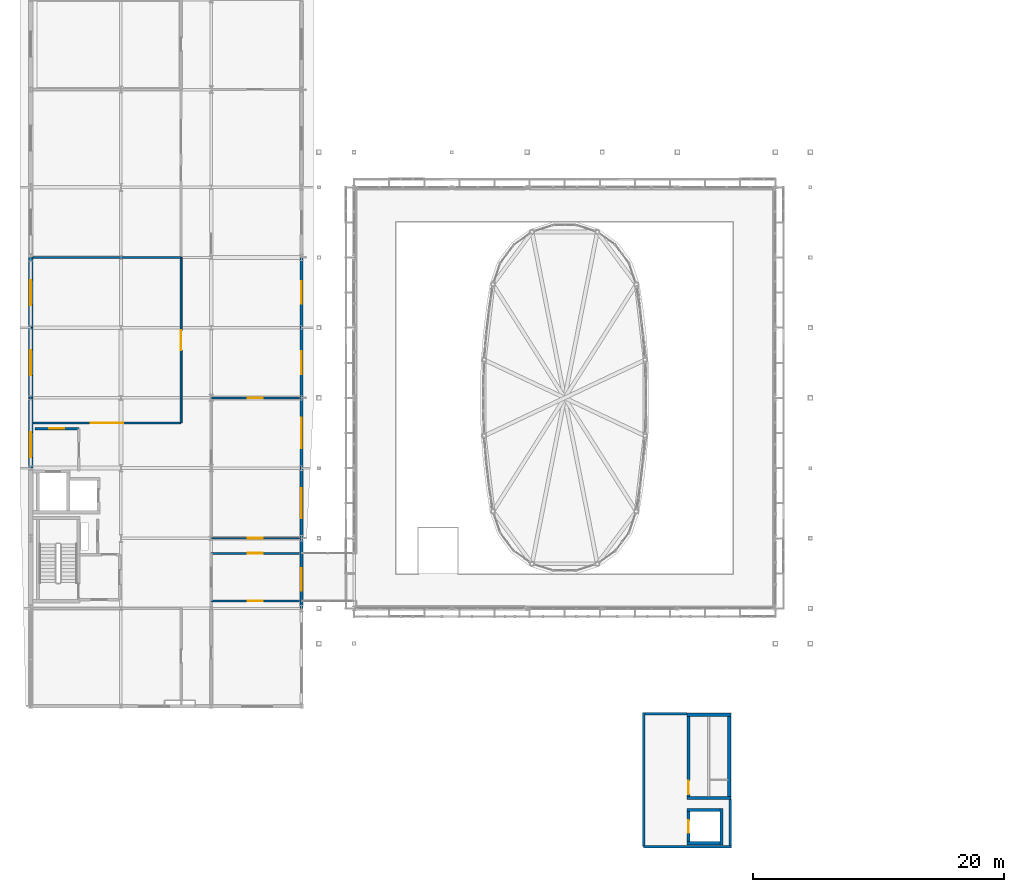
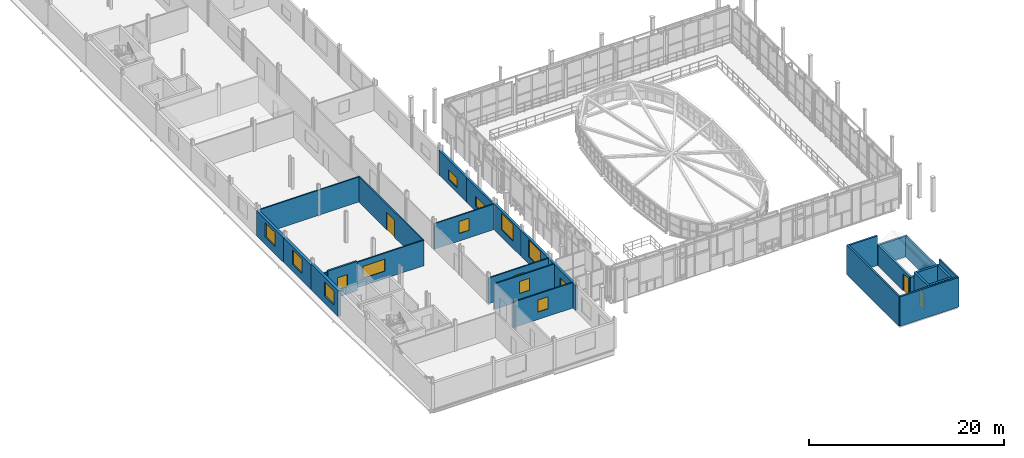
# One storey, part 62 of 78: 28 walls, 13 windows, 4 doors, 17 openings.
"""IFC4 building model written with IfcOpenShell, lengths in metres."""

from ifc_helpers import new_model, si_unit, direction, frame, frame_2d, origin, place, context, subcontext, project, spatial, rectangle, extrude, material, layer, layer_set, type_object, element, fill, save


model = new_model("IFC4")

# Units and contexts
model_context = context("Model", 3, precision=1e-05, world=origin(), true_north=direction((0.0, 1.0)))
body_context = subcontext(model_context, "Body", "Model", "MODEL_VIEW")
ifc_project = project(units=[si_unit("LENGTHUNIT", "METRE"), si_unit("AREAUNIT", "SQUARE_METRE"), si_unit("VOLUMEUNIT", "CUBIC_METRE"), si_unit("PLANEANGLEUNIT", "RADIAN"), si_unit("MASSUNIT", "GRAM", prefix="KILO")], contexts=[model_context])

# Site, building, storey
site_placement = place(None, origin())
site = spatial("IfcSite", under=ifc_project, at=site_placement, CompositionType="ELEMENT")
building_placement = place(site_placement, origin())
building = spatial("IfcBuilding", under=site, at=building_placement, Name="Vinh Khe Railworks Police Headquarters", CompositionType="ELEMENT")
storey_placement = place(building_placement, frame((0.0, 0.0, 13.199951171875)))
storey = spatial("IfcBuildingStorey", under=building, at=storey_placement, Name="L03", CompositionType="ELEMENT", Elevation=13.199951171875)

# Walls
ifc_material_1 = material(Name="Concrete C40/50 (B40)", Category="concrete")
ifc_layer_1 = layer(ifc_material_1, 0.25)
ifc_layer_set_1 = layer_set([ifc_layer_1], Name="Concrete C40/50 (B40)")
wall_type_1 = type_object("IfcWallType", Name="CW-RC-250", PredefinedType="SHEAR", material=ifc_layer_set_1)
wall_1_placement = place(storey_placement, frame((55.72509765625, 6.35009765625, 0.0), z_axis=(0.0, 0.0, 1.0), x_axis=(0.0, 1.0, 0.0)))
element("IfcWall", 1, at=wall_1_placement, inside=storey, type_object=wall_type_1, Name="Core C5 Enclosure Wall L03 PL-E", PredefinedType="SHEAR", context=body_context, shape_type="SweptSolid", body=[
    extrude(rectangle(XDim=2.89990234375, YDim=0.25, at=frame_2d((1.449951171875, 0.0))), origin(), (0.0, 0.0, 1.0), 3.699951171875),
])
for number, where, z_axis, x_axis, name in (
    (2, (52.949951171875, 6.47509765625, 0.0), (0.0, 0.0, 1.0), (1.0, 0.0, 0.0), "Core C5 Enclosure Wall L03 PL-S"),
    (3, (52.949951171875, 9.125, 0.0), (0.0, 0.0, 1.0), (1.0, 0.0, 0.0), "Core C5 Enclosure Wall L03 PL-N"),
):
    element("IfcWall", number, at=place(storey_placement, frame(where, z_axis=z_axis, x_axis=x_axis)), inside=storey, type_object=wall_type_1, Name=name, PredefinedType="SHEAR", context=body_context, shape_type="SweptSolid", body=[
        extrude(rectangle(XDim=2.900146484375, YDim=0.25, at=frame_2d((1.4501953125, 0.0))), origin(), (0.0, 0.0, 1.0), 3.699951171875),
    ])

# Wall, opening, door
wall_2_placement = place(storey_placement, frame((53.074951171875, 6.35009765625, 0.0), z_axis=(0.0, 0.0, 1.0), x_axis=(0.0, 1.0, 0.0)))
wall_2 = element("IfcWall", 4, at=wall_2_placement, inside=storey, type_object=wall_type_1, Name="Core C5 Enclosure Wall L03 PL-W", PredefinedType="SHEAR", context=body_context, shape_type="SweptSolid", body=[
    extrude(rectangle(XDim=2.89990234375, YDim=0.25, at=frame_2d((1.449951171875, 0.0))), origin(), (0.0, 0.0, 1.0), 3.699951171875),
])
opening_1_placement = place(wall_2_placement, frame((0.949951171875, 0.0, 0.0)))
opening_1 = element("IfcOpeningElement", 5, at=opening_1_placement, cuts=wall_2, Name="Opening LD-02", PredefinedType="OPENING", context=body_context, shape_type="SweptSolid", body=[
    extrude(rectangle(XDim=1.0, YDim=2.14990234375, at=frame_2d((0.5, 1.074951171875))), frame((0.0, 0.139892578125, 0.0), z_axis=(0.0, -1.0, 0.0), x_axis=(1.0, 0.0, 0.0)), (0.0, 0.0, 1.0), 0.27978515625),
])
ifc_material_2 = material(Name="Painted galvanised steel", Category="steel")
door_type_1 = type_object("IfcDoorType", Name="LD-PAX-1000", OperationType="SLIDING_TO_RIGHT", PredefinedType="DOOR", material=ifc_material_2)
door_1_placement = place(opening_1_placement, origin())
door_1 = element("IfcDoor", 6, at=door_1_placement, inside=storey, type_object=door_type_1, Name="Lift Landing Door PL-04 L03", OperationType="SLIDING_TO_LEFT", OverallHeight=2.14990234375, OverallWidth=1.0, PredefinedType="DOOR", context=body_context, shape_type="SweptSolid", body=[
    extrude(rectangle(XDim=1.0, YDim=2.14990234375, at=frame_2d((0.5, 1.074951171875))), frame((0.0, 0.02490234375, 0.0), z_axis=(0.0, -1.0, 0.0), x_axis=(1.0, 0.0, 0.0)), (0.0, 0.0, 1.0), 0.050048828125),
])
fill(opening_1, door_1)

# Walls
ifc_layer_2 = layer(ifc_material_1, 0.25)
ifc_layer_set_2 = layer_set([ifc_layer_2], Name="Concrete C40/50 (B40)")
wall_type_2 = type_object("IfcWallType", Name="Core Shear Wall 250", PredefinedType="SHEAR", material=ifc_layer_set_2)
for number, where, z_axis, x_axis, name in (
    (7, (52.949951171875, 10.074951171875, 0.0), (0.0, 0.0, 1.0), (1.0, 0.0, 0.0), "Core C5 STAIR-S Shear Wall (L03)"),
    (8, (52.949951171875, 16.72509765625, 0.0), (0.0, 0.0, 1.0), (1.0, 0.0, 0.0), "Core C5 STAIR-N Shear Wall (L03)"),
):
    element("IfcWall", number, at=place(storey_placement, frame(where, z_axis=z_axis, x_axis=x_axis)), inside=storey, type_object=wall_type_2, Name=name, PredefinedType="SHEAR", context=body_context, shape_type="SweptSolid", body=[
        extrude(rectangle(XDim=3.5, YDim=0.25, at=frame_2d((1.75, 0.0))), origin(), (0.0, 0.0, 1.0), 2.550048828125),
    ])

# Wall, opening, door
wall_3_placement = place(storey_placement, frame((53.074951171875, 10.199951171875, 0.0), z_axis=(0.0, 0.0, 1.0), x_axis=(0.0, 1.0, 0.0)))
wall_3 = element("IfcWall", 9, at=wall_3_placement, inside=storey, type_object=wall_type_2, Name="Core C5 STAIR-W Shear Wall (L03)", PredefinedType="SHEAR", context=body_context, shape_type="SweptSolid", body=[
    extrude(rectangle(XDim=6.400146484375, YDim=0.25, at=frame_2d((3.2001953125, 0.0))), origin(), (0.0, 0.0, 1.0), 2.550048828125),
])
opening_2_placement = place(wall_3_placement, frame((0.169921875, 0.0, 0.0)))
opening_2 = element("IfcOpeningElement", 10, at=opening_2_placement, cuts=wall_3, Name="Opening FD-01", PredefinedType="OPENING", context=body_context, shape_type="SweptSolid", body=[
    extrude(rectangle(XDim=1.10009765625, YDim=2.14990234375, at=frame_2d((0.550048828125, 1.074951171875))), frame((0.0, 0.139892578125, 0.0), z_axis=(0.0, -1.0, 0.0), x_axis=(1.0, 0.0, 0.0)), (0.0, 0.0, 1.0), 0.27978515625),
])
door_type_2 = type_object("IfcDoorType", Name="FD-1100x2150", OperationType="NOTDEFINED", PredefinedType="DOOR", material=ifc_material_2)
door_2_placement = place(opening_2_placement, origin())
door_2 = element("IfcDoor", 11, at=door_2_placement, inside=storey, type_object=door_type_2, Name="Escape Stair ST-05 Fire Door L03", OperationType="SINGLE_SWING_LEFT", OverallHeight=2.14990234375, OverallWidth=1.10009765625, PredefinedType="DOOR", context=body_context, shape_type="SweptSolid", body=[
    extrude(rectangle(XDim=1.10009765625, YDim=2.14990234375, at=frame_2d((0.550048828125, 1.074951171875))), frame((0.0, 0.02490234375, 0.0), z_axis=(0.0, -1.0, 0.0), x_axis=(1.0, 0.0, 0.0)), (0.0, 0.0, 1.0), 0.050048828125),
])
fill(opening_2, door_2)

# Wall
wall_4_placement = place(storey_placement, frame((56.324951171875, 10.199951171875, 0.0), z_axis=(0.0, 0.0, 1.0), x_axis=(0.0, 1.0, 0.0)))
element("IfcWall", 12, at=wall_4_placement, inside=storey, type_object=wall_type_2, Name="Core C5 STAIR-E Shear Wall (L03)", PredefinedType="SHEAR", context=body_context, shape_type="SweptSolid", body=[
    extrude(rectangle(XDim=6.400146484375, YDim=0.25, at=frame_2d((3.2001953125, 0.0))), origin(), (0.0, 0.0, 1.0), 2.550048828125),
])

# Wall, opening, door
ifc_material_3 = material(Name="Clay brickwork", Category="masonry")
ifc_layer_3 = layer(ifc_material_3, 0.260009765625)
ifc_layer_set_3 = layer_set([ifc_layer_3], Name="Clay brickwork")
wall_type_3 = type_object("IfcWallType", Name="EW-BRK-260", PredefinedType="SOLIDWALL", material=ifc_layer_set_3)
wall_5_placement = place(storey_placement, frame((22.199951171875, 25.199951171875, 0.0), z_axis=(0.0, 0.0, 1.0), x_axis=(0.0, 1.0, 0.0)))
wall_5 = element("IfcWall", 13, at=wall_5_placement, inside=storey, type_object=wall_type_3, Name="Exterior Brick Wall EW-L03-V5E-02", PredefinedType="SOLIDWALL", context=body_context, shape_type="SweptSolid", body=[
    extrude(rectangle(XDim=5.60009765625, YDim=0.260009765625, at=frame_2d((2.800048828125, 0.0))), origin(), (0.0, 0.0, 1.0), 3.14501953125),
])
opening_3_placement = place(wall_5_placement, frame((1.39990234375, 0.0, 0.0)))
opening_3 = element("IfcOpeningElement", 14, at=opening_3_placement, cuts=wall_5, Name="Opening ED-03", PredefinedType="OPENING", context=body_context, shape_type="SweptSolid", body=[
    extrude(rectangle(XDim=1.800048828125, YDim=2.199951171875, at=frame_2d((0.89990234375, 1.10009765625))), frame((0.0, 0.14501953125, 0.0), z_axis=(0.0, -1.0, 0.0), x_axis=(1.0, 0.0, 0.0)), (0.0, 0.0, 1.0), 0.289794921875),
])
ifc_material_4 = material(Name="Dark anodised aluminium and solar-control glass", Category="aluminium")
door_type_3 = type_object("IfcDoorType", Name="ED-TER-1800", OperationType="DOUBLE_DOOR_SINGLE_SWING", PredefinedType="DOOR", material=ifc_material_4)
door_3_placement = place(opening_3_placement, frame((1.800048828125, 0.0, 0.0), z_axis=(0.0, 0.0, 1.0), x_axis=(-1.0, 0.0, 0.0)))
door_3 = element("IfcDoor", 15, at=door_3_placement, inside=storey, type_object=door_type_3, Name="Atrium Skyway Link Fire Door L03", OperationType="DOUBLE_DOOR_SINGLE_SWING", OverallHeight=2.199951171875, OverallWidth=1.800048828125, PredefinedType="DOOR", context=body_context, shape_type="SweptSolid", body=[
    extrude(rectangle(XDim=1.800048828125, YDim=2.199951171875, at=frame_2d((0.89990234375, 1.10009765625))), frame((0.0, 0.02490234375, 0.0), z_axis=(0.0, -1.0, 0.0), x_axis=(1.0, 0.0, 0.0)), (0.0, 0.0, 1.0), 0.050048828125),
])
fill(opening_3, door_3)

# Wall, opening, window
wall_6_placement = place(storey_placement, frame((22.199951171875, 30.800048828125, 0.0), z_axis=(0.0, 0.0, 1.0), x_axis=(0.0, 1.0, 0.0)))
wall_6 = element("IfcWall", 16, at=wall_6_placement, inside=storey, type_object=wall_type_3, Name="Exterior Brick Wall EW-L03-V5E-03", PredefinedType="SOLIDWALL", context=body_context, shape_type="SweptSolid", body=[
    extrude(rectangle(XDim=5.599853515625, YDim=0.260009765625, at=frame_2d((2.7998046875, 0.0))), origin(), (0.0, 0.0, 1.0), 3.195068359375),
])
opening_4_placement = place(wall_6_placement, frame((1.60009765625, 0.0, 0.89990234375)))
opening_4 = element("IfcOpeningElement", 17, at=opening_4_placement, cuts=wall_6, Name="Opening WN-02", PredefinedType="OPENING", context=body_context, shape_type="SweptSolid", body=[
    extrude(rectangle(XDim=2.39990234375, YDim=2.10009765625, at=frame_2d((1.199951171875, 1.050048828125))), frame((0.0, 0.14501953125, 0.0), z_axis=(0.0, -1.0, 0.0), x_axis=(1.0, 0.0, 0.0)), (0.0, 0.0, 1.0), 0.289794921875),
])
ifc_material_5 = material(Name="Double-glazed solar-control glass in dark steel frame", Category="steel")
window_type_1 = type_object("IfcWindowType", Name="WIN-WN-02", PartitioningType="DOUBLE_PANEL_VERTICAL", PredefinedType="WINDOW", material=ifc_material_5)
window_1_placement = place(opening_4_placement, origin())
window_1 = element("IfcWindow", 18, at=window_1_placement, inside=storey, type_object=window_type_1, Name="Casement Window WN-02", OverallHeight=2.10009765625, OverallWidth=2.39990234375, PartitioningType="SINGLE_PANEL", PredefinedType="WINDOW", context=body_context, shape_type="SweptSolid", body=[
    extrude(rectangle(XDim=2.39990234375, YDim=2.10009765625, at=frame_2d((1.199951171875, 1.050048828125))), frame((0.0, 0.030029296875, 0.0), z_axis=(0.0, -1.0, 0.0), x_axis=(1.0, 0.0, 0.0)), (0.0, 0.0, 1.0), 0.06005859375),
])
fill(opening_4, window_1)

wall_7_placement = place(storey_placement, frame((22.199951171875, 36.39990234375, 0.0), z_axis=(0.0, 0.0, 1.0), x_axis=(0.0, 1.0, 0.0)))
wall_7 = element("IfcWall", 19, at=wall_7_placement, inside=storey, type_object=wall_type_3, Name="Exterior Brick Wall EW-L03-V5E-04", PredefinedType="SOLIDWALL", context=body_context, shape_type="SweptSolid", body=[
    extrude(rectangle(XDim=5.60009765625, YDim=0.260009765625, at=frame_2d((2.800048828125, 0.0))), origin(), (0.0, 0.0, 1.0), 3.2451171875),
])
opening_5_placement = place(wall_7_placement, frame((1.60009765625, 0.0, 0.89990234375)))
opening_5 = element("IfcOpeningElement", 20, at=opening_5_placement, cuts=wall_7, Name="Opening WN-02", PredefinedType="OPENING", context=body_context, shape_type="SweptSolid", body=[
    extrude(rectangle(XDim=2.39990234375, YDim=2.10009765625, at=frame_2d((1.199951171875, 1.050048828125))), frame((0.0, 0.14501953125, 0.0), z_axis=(0.0, -1.0, 0.0), x_axis=(1.0, 0.0, 0.0)), (0.0, 0.0, 1.0), 0.289794921875),
])
window_2_placement = place(opening_5_placement, origin())
window_2 = element("IfcWindow", 21, at=window_2_placement, inside=storey, type_object=window_type_1, Name="Casement Window WN-02", OverallHeight=2.10009765625, OverallWidth=2.39990234375, PartitioningType="SINGLE_PANEL", PredefinedType="WINDOW", context=body_context, shape_type="SweptSolid", body=[
    extrude(rectangle(XDim=2.39990234375, YDim=2.10009765625, at=frame_2d((1.199951171875, 1.050048828125))), frame((0.0, 0.030029296875, 0.0), z_axis=(0.0, -1.0, 0.0), x_axis=(1.0, 0.0, 0.0)), (0.0, 0.0, 1.0), 0.06005859375),
])
fill(opening_5, window_2)

wall_8_placement = place(storey_placement, frame((22.199951171875, 42.0, 0.0), z_axis=(0.0, 0.0, 1.0), x_axis=(0.0, 1.0, 0.0)))
wall_8 = element("IfcWall", 22, at=wall_8_placement, inside=storey, type_object=wall_type_3, Name="Exterior Brick Wall EW-L03-V5E-05", PredefinedType="SOLIDWALL", context=body_context, shape_type="SweptSolid", body=[
    extrude(rectangle(XDim=5.60009765625, YDim=0.260009765625, at=frame_2d((2.800048828125, 0.0))), origin(), (0.0, 0.0, 1.0), 3.094970703125),
])
opening_6_placement = place(wall_8_placement, frame((1.89990234375, 0.0, 0.64990234375)))
opening_6 = element("IfcOpeningElement", 23, at=opening_6_placement, cuts=wall_8, Name="Opening WN-08", PredefinedType="OPENING", context=body_context, shape_type="SweptSolid", body=[
    extrude(rectangle(XDim=1.800048828125, YDim=1.199951171875, at=frame_2d((0.89990234375, 0.60009765625))), frame((0.0, 0.14501953125, 0.0), z_axis=(0.0, -1.0, 0.0), x_axis=(1.0, 0.0, 0.0)), (0.0, 0.0, 1.0), 0.289794921875),
])
window_type_2 = type_object("IfcWindowType", Name="WIN-WN-08", PartitioningType="SINGLE_PANEL", PredefinedType="WINDOW", material=ifc_material_5)
window_3_placement = place(opening_6_placement, origin())
window_3 = element("IfcWindow", 24, at=window_3_placement, inside=storey, type_object=window_type_2, Name="Casement Window WN-08", OverallHeight=1.199951171875, OverallWidth=1.800048828125, PartitioningType="SINGLE_PANEL", PredefinedType="WINDOW", context=body_context, shape_type="SweptSolid", body=[
    extrude(rectangle(XDim=1.800048828125, YDim=1.199951171875, at=frame_2d((0.89990234375, 0.60009765625))), frame((0.0, 0.030029296875, 0.0), z_axis=(0.0, -1.0, 0.0), x_axis=(1.0, 0.0, 0.0)), (0.0, 0.0, 1.0), 0.06005859375),
])
fill(opening_6, window_3)

wall_9_placement = place(storey_placement, frame((22.199951171875, 47.60009765625, 0.0), z_axis=(0.0, 0.0, 1.0), x_axis=(0.0, 1.0, 0.0)))
wall_9 = element("IfcWall", 25, at=wall_9_placement, inside=storey, type_object=wall_type_3, Name="Exterior Brick Wall EW-L03-V5E-06", PredefinedType="SOLIDWALL", context=body_context, shape_type="SweptSolid", body=[
    extrude(rectangle(XDim=5.599853515625, YDim=0.260009765625, at=frame_2d((2.7998046875, 0.0))), origin(), (0.0, 0.0, 1.0), 3.094970703125),
])
opening_7_placement = place(wall_9_placement, frame((1.89990234375, 0.0, 0.64990234375)))
opening_7 = element("IfcOpeningElement", 26, at=opening_7_placement, cuts=wall_9, Name="Opening WN-08", PredefinedType="OPENING", context=body_context, shape_type="SweptSolid", body=[
    extrude(rectangle(XDim=1.800048828125, YDim=1.199951171875, at=frame_2d((0.89990234375, 0.60009765625))), frame((0.0, 0.14501953125, 0.0), z_axis=(0.0, -1.0, 0.0), x_axis=(1.0, 0.0, 0.0)), (0.0, 0.0, 1.0), 0.289794921875),
])
window_4_placement = place(opening_7_placement, origin())
window_4 = element("IfcWindow", 27, at=window_4_placement, inside=storey, type_object=window_type_2, Name="Casement Window WN-08", OverallHeight=1.199951171875, OverallWidth=1.800048828125, PartitioningType="SINGLE_PANEL", PredefinedType="WINDOW", context=body_context, shape_type="SweptSolid", body=[
    extrude(rectangle(XDim=1.800048828125, YDim=1.199951171875, at=frame_2d((0.89990234375, 0.60009765625))), frame((0.0, 0.030029296875, 0.0), z_axis=(0.0, -1.0, 0.0), x_axis=(1.0, 0.0, 0.0)), (0.0, 0.0, 1.0), 0.06005859375),
])
fill(opening_7, window_4)

ifc_layer_4 = layer(ifc_material_3, 0.340087890625)
ifc_layer_set_4 = layer_set([ifc_layer_4], Name="Clay brickwork")
wall_type_4 = type_object("IfcWallType", Name="EW-BRK-340", PredefinedType="SOLIDWALL", material=ifc_layer_set_4)
wall_10_placement = place(storey_placement, frame((0.60009765625, 36.39990234375, 0.0), z_axis=(0.0, 0.0, 1.0), x_axis=(0.0, 1.0, 0.0)))
wall_10 = element("IfcWall", 28, at=wall_10_placement, inside=storey, type_object=wall_type_4, Name="Exterior Brick Wall EW-L03-V5W-04", PredefinedType="SOLIDWALL", context=body_context, shape_type="SweptSolid", body=[
    extrude(rectangle(XDim=5.60009765625, YDim=0.340087890625, at=frame_2d((2.800048828125, 0.0))), origin(), (0.0, 0.0, 1.0), 3.2451171875),
])
opening_8_placement = place(wall_10_placement, frame((0.85009765625, 0.0, 0.89990234375)))
opening_8 = element("IfcOpeningElement", 29, at=opening_8_placement, cuts=wall_10, Name="Opening WN-04", PredefinedType="OPENING", context=body_context, shape_type="SweptSolid", body=[
    extrude(rectangle(XDim=2.0, YDim=1.800048828125, at=frame_2d((1.0, 0.89990234375))), frame((0.0, 0.18505859375, 0.0), z_axis=(0.0, -1.0, 0.0), x_axis=(1.0, 0.0, 0.0)), (0.0, 0.0, 1.0), 0.369873046875),
])
window_type_3 = type_object("IfcWindowType", Name="WIN-WN-04", PartitioningType="DOUBLE_PANEL_VERTICAL", PredefinedType="WINDOW", material=ifc_material_5)
window_5_placement = place(opening_8_placement, origin())
window_5 = element("IfcWindow", 30, at=window_5_placement, inside=storey, type_object=window_type_3, Name="Casement Window WN-04", OverallHeight=1.800048828125, OverallWidth=2.0, PartitioningType="SINGLE_PANEL", PredefinedType="WINDOW", context=body_context, shape_type="SweptSolid", body=[
    extrude(rectangle(XDim=2.0, YDim=1.800048828125, at=frame_2d((1.0, 0.89990234375))), frame((0.0, 0.030029296875, 0.0), z_axis=(0.0, -1.0, 0.0), x_axis=(1.0, 0.0, 0.0)), (0.0, 0.0, 1.0), 0.06005859375),
])
fill(opening_8, window_5)

wall_11_placement = place(storey_placement, frame((0.60009765625, 42.0, 0.0), z_axis=(0.0, 0.0, 1.0), x_axis=(0.0, 1.0, 0.0)))
wall_11 = element("IfcWall", 31, at=wall_11_placement, inside=storey, type_object=wall_type_4, Name="Exterior Brick Wall EW-L03-V5W-05", PredefinedType="SOLIDWALL", context=body_context, shape_type="SweptSolid", body=[
    extrude(rectangle(XDim=5.60009765625, YDim=0.340087890625, at=frame_2d((2.800048828125, 0.0))), origin(), (0.0, 0.0, 1.0), 3.094970703125),
])
opening_9_placement = place(wall_11_placement, frame((1.800048828125, 0.0, 0.89990234375)))
opening_9 = element("IfcOpeningElement", 32, at=opening_9_placement, cuts=wall_11, Name="Opening WN-04", PredefinedType="OPENING", context=body_context, shape_type="SweptSolid", body=[
    extrude(rectangle(XDim=2.0, YDim=1.800048828125, at=frame_2d((1.0, 0.89990234375))), frame((0.0, 0.18505859375, 0.0), z_axis=(0.0, -1.0, 0.0), x_axis=(1.0, 0.0, 0.0)), (0.0, 0.0, 1.0), 0.369873046875),
])
window_6_placement = place(opening_9_placement, origin())
window_6 = element("IfcWindow", 33, at=window_6_placement, inside=storey, type_object=window_type_3, Name="Casement Window WN-04", OverallHeight=1.800048828125, OverallWidth=2.0, PartitioningType="SINGLE_PANEL", PredefinedType="WINDOW", context=body_context, shape_type="SweptSolid", body=[
    extrude(rectangle(XDim=2.0, YDim=1.800048828125, at=frame_2d((1.0, 0.89990234375))), frame((0.0, 0.030029296875, 0.0), z_axis=(0.0, -1.0, 0.0), x_axis=(1.0, 0.0, 0.0)), (0.0, 0.0, 1.0), 0.06005859375),
])
fill(opening_9, window_6)

wall_12_placement = place(storey_placement, frame((0.60009765625, 47.60009765625, 0.0), z_axis=(0.0, 0.0, 1.0), x_axis=(0.0, 1.0, 0.0)))
wall_12 = element("IfcWall", 34, at=wall_12_placement, inside=storey, type_object=wall_type_4, Name="Exterior Brick Wall EW-L03-V5W-06", PredefinedType="SOLIDWALL", context=body_context, shape_type="SweptSolid", body=[
    extrude(rectangle(XDim=5.599853515625, YDim=0.340087890625, at=frame_2d((2.7998046875, 0.0))), origin(), (0.0, 0.0, 1.0), 3.094970703125),
])
opening_10_placement = place(wall_12_placement, frame((1.800048828125, 0.0, 0.89990234375)))
opening_10 = element("IfcOpeningElement", 35, at=opening_10_placement, cuts=wall_12, Name="Opening WN-04", PredefinedType="OPENING", context=body_context, shape_type="SweptSolid", body=[
    extrude(rectangle(XDim=2.0, YDim=1.800048828125, at=frame_2d((1.0, 0.89990234375))), frame((0.0, 0.18505859375, 0.0), z_axis=(0.0, -1.0, 0.0), x_axis=(1.0, 0.0, 0.0)), (0.0, 0.0, 1.0), 0.369873046875),
])
window_7_placement = place(opening_10_placement, origin())
window_7 = element("IfcWindow", 36, at=window_7_placement, inside=storey, type_object=window_type_3, Name="Casement Window WN-04", OverallHeight=1.800048828125, OverallWidth=2.0, PartitioningType="SINGLE_PANEL", PredefinedType="WINDOW", context=body_context, shape_type="SweptSolid", body=[
    extrude(rectangle(XDim=2.0, YDim=1.800048828125, at=frame_2d((1.0, 0.89990234375))), frame((0.0, 0.030029296875, 0.0), z_axis=(0.0, -1.0, 0.0), x_axis=(1.0, 0.0, 0.0)), (0.0, 0.0, 1.0), 0.06005859375),
])
fill(opening_10, window_7)

# Walls
ifc_material_6 = material(Name="Autoclaved aerated concrete blockwork", Category="masonry")
ifc_layer_5 = layer(ifc_material_6, 0.199951171875)
ifc_layer_set_5 = layer_set([ifc_layer_5], Name="Autoclaved aerated concrete blockwork")
wall_type_5 = type_object("IfcWallType", Name="IW-BLK-200", PredefinedType="PARTITIONING", material=ifc_layer_set_5)
wall_13_placement = place(storey_placement, frame((49.60009765625, 16.800048828125, 0.0), z_axis=(0.0, 0.0, 1.0), x_axis=(1.0, 0.0, 0.0)))
element("IfcWall", 37, at=wall_13_placement, inside=storey, type_object=wall_type_5, Name="Core C5 Headhouse Enclosure Wall L03-NW", PredefinedType="PARTITIONING", context=body_context, shape_type="SweptSolid", body=[
    extrude(rectangle(XDim=3.349853515625, YDim=0.199951171875, at=frame_2d((1.6748046875, 0.0))), origin(), (0.0, 0.0, 1.0), 3.699951171875),
])
wall_14_placement = place(storey_placement, frame((56.39990234375, 6.300048828125, 0.0), z_axis=(0.0, 0.0, 1.0), x_axis=(0.0, 1.0, 0.0)))
element("IfcWall", 38, at=wall_14_placement, inside=storey, type_object=wall_type_5, Name="Core C5 Headhouse Enclosure Wall L03-SE", PredefinedType="PARTITIONING", context=body_context, shape_type="SweptSolid", body=[
    extrude(rectangle(XDim=3.64990234375, YDim=0.199951171875, at=frame_2d((1.824951171875, 0.0))), origin(), (0.0, 0.0, 1.0), 3.699951171875),
])
wall_15_placement = place(storey_placement, frame((49.5, 6.199951171875, 0.0), z_axis=(0.0, 0.0, 1.0), x_axis=(1.0, 0.0, 0.0)))
element("IfcWall", 39, at=wall_15_placement, inside=storey, type_object=wall_type_5, Name="Core C5 Headhouse Enclosure Wall L03-1", PredefinedType="PARTITIONING", context=body_context, shape_type="SweptSolid", body=[
    extrude(rectangle(XDim=7.0, YDim=0.199951171875, at=frame_2d((3.5, 0.0))), origin(), (0.0, 0.0, 1.0), 3.699951171875),
])
wall_16_placement = place(storey_placement, frame((49.5, 16.89990234375, 0.0), z_axis=(0.0, 0.0, 1.0), x_axis=(0.0, -1.0, 0.0)))
element("IfcWall", 40, at=wall_16_placement, inside=storey, type_object=wall_type_5, Name="Core C5 Headhouse Enclosure Wall L03-4", PredefinedType="PARTITIONING", context=body_context, shape_type="SweptSolid", body=[
    extrude(rectangle(XDim=10.699951171875, YDim=0.199951171875, at=frame_2d((5.35009765625, 0.0))), origin(), (0.0, 0.0, 1.0), 3.699951171875),
])

# Wall, opening, window
wall_17_placement = place(storey_placement, frame((0.949951171875, 39.550048828125, 0.0), z_axis=(0.0, 0.0, 1.0), x_axis=(1.0, 0.0, 0.0)))
wall_17 = element("IfcWall", 41, at=wall_17_placement, inside=storey, type_object=wall_type_5, Name="Interior Partition W-FFL-C1-N-L03", PredefinedType="PARTITIONING", context=body_context, shape_type="SweptSolid", body=[
    extrude(rectangle(XDim=3.5, YDim=0.199951171875, at=frame_2d((1.75, 0.0))), origin(), (0.0, 0.0, 1.0), 3.695068359375),
])
opening_11_placement = place(wall_17_placement, frame((1.14990234375, 0.0, 0.949951171875)))
opening_11 = element("IfcOpeningElement", 42, at=opening_11_placement, cuts=wall_17, Name="Opening WN-10", PredefinedType="OPENING", context=body_context, shape_type="SweptSolid", body=[
    extrude(rectangle(XDim=1.199951171875, YDim=1.5, at=frame_2d((0.60009765625, 0.75))), frame((0.0, 0.11474609375, 0.0), z_axis=(0.0, -1.0, 0.0), x_axis=(1.0, 0.0, 0.0)), (0.0, 0.0, 1.0), 0.229736328125),
])
window_type_4 = type_object("IfcWindowType", Name="WIN-WN-10", PartitioningType="SINGLE_PANEL", PredefinedType="WINDOW", material=ifc_material_5)
window_8_placement = place(opening_11_placement, origin())
window_8 = element("IfcWindow", 43, at=window_8_placement, inside=storey, type_object=window_type_4, Name="Interior Acoustic Vision Window WN-10", OverallHeight=1.5, OverallWidth=1.199951171875, PartitioningType="SINGLE_PANEL", PredefinedType="WINDOW", context=body_context, shape_type="SweptSolid", body=[
    extrude(rectangle(XDim=1.199951171875, YDim=1.5, at=frame_2d((0.60009765625, 0.75))), frame((0.0, 0.030029296875, 0.0), z_axis=(0.0, -1.0, 0.0), x_axis=(1.0, 0.0, 0.0)), (0.0, 0.0, 1.0), 0.06005859375),
])
fill(opening_11, window_8)

ifc_material_7 = material(Name="Gypsum plasterboard on steel stud", Category="steel")
ifc_layer_6 = layer(ifc_material_7, 0.1201171875)
ifc_layer_set_6 = layer_set([ifc_layer_6], Name="Gypsum plasterboard on steel stud")
wall_type_6 = type_object("IfcWallType", Name="IW-PART-120", PredefinedType="PARTITIONING", material=ifc_layer_set_6)
wall_18_placement = place(storey_placement, frame((0.780029296875, 40.0, 0.0), z_axis=(0.0, 0.0, 1.0), x_axis=(1.0, 0.0, 0.0)))
wall_18 = element("IfcWall", 44, at=wall_18_placement, inside=storey, type_object=wall_type_6, Name="Interior Partition W-L03-V5-INV3B-DIV", PredefinedType="PARTITIONING", context=body_context, shape_type="SweptSolid", body=[
    extrude(rectangle(XDim=11.820068359375, YDim=0.14990234375, at=frame_2d((5.91015625, 0.0))), origin(), (0.0, 0.0, 1.0), 3.195068359375),
])
opening_12_placement = place(wall_18_placement, frame((4.610107421875, 0.0, 0.949951171875)))
opening_12 = element("IfcOpeningElement", 45, at=opening_12_placement, cuts=wall_18, Name="Opening WN-07", PredefinedType="OPENING", context=body_context, shape_type="SweptSolid", body=[
    extrude(rectangle(XDim=2.60009765625, YDim=1.5, at=frame_2d((1.300048828125, 0.75))), frame((0.0, 0.08984375, 0.0), z_axis=(0.0, -1.0, 0.0), x_axis=(1.0, 0.0, 0.0)), (0.0, 0.0, 1.0), 0.1796875),
])
window_type_5 = type_object("IfcWindowType", Name="WIN-WN-07", PartitioningType="DOUBLE_PANEL_HORIZONTAL", PredefinedType="WINDOW", material=ifc_material_5)
window_9_placement = place(opening_12_placement, origin())
window_9 = element("IfcWindow", 46, at=window_9_placement, inside=storey, type_object=window_type_5, Name="Interior Acoustic Vision Window WN-07", OverallHeight=1.5, OverallWidth=2.60009765625, PartitioningType="SINGLE_PANEL", PredefinedType="WINDOW", context=body_context, shape_type="SweptSolid", body=[
    extrude(rectangle(XDim=2.60009765625, YDim=1.5, at=frame_2d((1.300048828125, 0.75))), frame((0.0, 0.030029296875, 0.0), z_axis=(0.0, -1.0, 0.0), x_axis=(1.0, 0.0, 0.0)), (0.0, 0.0, 1.0), 0.06005859375),
])
fill(opening_12, window_9)

# Wall
wall_19_placement = place(storey_placement, frame((0.780029296875, 53.199951171875, 0.0), z_axis=(0.0, 0.0, 1.0), x_axis=(1.0, 0.0, 0.0)))
element("IfcWall", 47, at=wall_19_placement, inside=storey, type_object=wall_type_6, Name="Interior Partition W-L03-V5-INV3C-DIV", PredefinedType="PARTITIONING", context=body_context, shape_type="SweptSolid", body=[
    extrude(rectangle(XDim=11.820068359375, YDim=0.14990234375, at=frame_2d((5.91015625, 0.0))), origin(), (0.0, 0.0, 1.0), 3.14501953125),
])

# Wall, opening, window
wall_20_placement = place(storey_placement, frame((15.0, 25.800048828125, 0.0), z_axis=(0.0, 0.0, 1.0), x_axis=(1.0, 0.0, 0.0)))
wall_20 = element("IfcWall", 48, at=wall_20_placement, inside=storey, type_object=wall_type_6, Name="Interior Partition W-L03-V5-GLK3-DIV", PredefinedType="PARTITIONING", context=body_context, shape_type="SweptSolid", body=[
    extrude(rectangle(XDim=7.06005859375, YDim=0.14990234375, at=frame_2d((3.530029296875, 0.0))), origin(), (0.0, 0.0, 1.0), 3.195068359375),
])
opening_13_placement = place(wall_20_placement, frame((2.929931640625, 0.0, 0.949951171875)))
opening_13 = element("IfcOpeningElement", 49, at=opening_13_placement, cuts=wall_20, Name="Opening WN-10", PredefinedType="OPENING", context=body_context, shape_type="SweptSolid", body=[
    extrude(rectangle(XDim=1.199951171875, YDim=1.5, at=frame_2d((0.60009765625, 0.75))), frame((0.0, 0.08984375, 0.0), z_axis=(0.0, -1.0, 0.0), x_axis=(1.0, 0.0, 0.0)), (0.0, 0.0, 1.0), 0.1796875),
])
window_10_placement = place(opening_13_placement, origin())
window_10 = element("IfcWindow", 50, at=window_10_placement, inside=storey, type_object=window_type_4, Name="Interior Acoustic Vision Window WN-10", OverallHeight=1.5, OverallWidth=1.199951171875, PartitioningType="SINGLE_PANEL", PredefinedType="WINDOW", context=body_context, shape_type="SweptSolid", body=[
    extrude(rectangle(XDim=1.199951171875, YDim=1.5, at=frame_2d((0.60009765625, 0.75))), frame((0.0, 0.030029296875, 0.0), z_axis=(0.0, -1.0, 0.0), x_axis=(1.0, 0.0, 0.0)), (0.0, 0.0, 1.0), 0.06005859375),
])
fill(opening_13, window_10)

wall_21_placement = place(storey_placement, frame((15.0, 29.60009765625, 0.0), z_axis=(0.0, 0.0, 1.0), x_axis=(1.0, 0.0, 0.0)))
wall_21 = element("IfcWall", 51, at=wall_21_placement, inside=storey, type_object=wall_type_6, Name="Interior Partition W-L03-V5-GLK3-ENDN", PredefinedType="PARTITIONING", context=body_context, shape_type="SweptSolid", body=[
    extrude(rectangle(XDim=7.06005859375, YDim=0.14990234375, at=frame_2d((3.530029296875, 0.0))), origin(), (0.0, 0.0, 1.0), 3.195068359375),
])
opening_14_placement = place(wall_21_placement, frame((2.929931640625, 0.0, 0.949951171875)))
opening_14 = element("IfcOpeningElement", 52, at=opening_14_placement, cuts=wall_21, Name="Opening WN-10", PredefinedType="OPENING", context=body_context, shape_type="SweptSolid", body=[
    extrude(rectangle(XDim=1.199951171875, YDim=1.5, at=frame_2d((0.60009765625, 0.75))), frame((0.0, 0.08984375, 0.0), z_axis=(0.0, -1.0, 0.0), x_axis=(1.0, 0.0, 0.0)), (0.0, 0.0, 1.0), 0.1796875),
])
window_11_placement = place(opening_14_placement, origin())
window_11 = element("IfcWindow", 53, at=window_11_placement, inside=storey, type_object=window_type_4, Name="Interior Acoustic Vision Window WN-10", OverallHeight=1.5, OverallWidth=1.199951171875, PartitioningType="SINGLE_PANEL", PredefinedType="WINDOW", context=body_context, shape_type="SweptSolid", body=[
    extrude(rectangle(XDim=1.199951171875, YDim=1.5, at=frame_2d((0.60009765625, 0.75))), frame((0.0, 0.030029296875, 0.0), z_axis=(0.0, -1.0, 0.0), x_axis=(1.0, 0.0, 0.0)), (0.0, 0.0, 1.0), 0.06005859375),
])
fill(opening_14, window_11)

wall_22_placement = place(storey_placement, frame((15.0, 30.800048828125, 0.0), z_axis=(0.0, 0.0, 1.0), x_axis=(1.0, 0.0, 0.0)))
wall_22 = element("IfcWall", 54, at=wall_22_placement, inside=storey, type_object=wall_type_6, Name="Interior Partition W-L03-V5-CELLO2-DIV", PredefinedType="PARTITIONING", context=body_context, shape_type="SweptSolid", body=[
    extrude(rectangle(XDim=7.06005859375, YDim=0.14990234375, at=frame_2d((3.530029296875, 0.0))), origin(), (0.0, 0.0, 1.0), 3.195068359375),
])
opening_15_placement = place(wall_22_placement, frame((2.929931640625, 0.0, 0.949951171875)))
opening_15 = element("IfcOpeningElement", 55, at=opening_15_placement, cuts=wall_22, Name="Opening WN-10", PredefinedType="OPENING", context=body_context, shape_type="SweptSolid", body=[
    extrude(rectangle(XDim=1.199951171875, YDim=1.5, at=frame_2d((0.60009765625, 0.75))), frame((0.0, 0.08984375, 0.0), z_axis=(0.0, -1.0, 0.0), x_axis=(1.0, 0.0, 0.0)), (0.0, 0.0, 1.0), 0.1796875),
])
window_12_placement = place(opening_15_placement, origin())
window_12 = element("IfcWindow", 56, at=window_12_placement, inside=storey, type_object=window_type_4, Name="Interior Acoustic Vision Window WN-10", OverallHeight=1.5, OverallWidth=1.199951171875, PartitioningType="SINGLE_PANEL", PredefinedType="WINDOW", context=body_context, shape_type="SweptSolid", body=[
    extrude(rectangle(XDim=1.199951171875, YDim=1.5, at=frame_2d((0.60009765625, 0.75))), frame((0.0, 0.030029296875, 0.0), z_axis=(0.0, -1.0, 0.0), x_axis=(1.0, 0.0, 0.0)), (0.0, 0.0, 1.0), 0.06005859375),
])
fill(opening_15, window_12)

wall_23_placement = place(storey_placement, frame((15.0, 42.0, 0.0), z_axis=(0.0, 0.0, 1.0), x_axis=(1.0, 0.0, 0.0)))
wall_23 = element("IfcWall", 57, at=wall_23_placement, inside=storey, type_object=wall_type_6, Name="Interior Partition W-L03-V5-CELLO3-DIV", PredefinedType="PARTITIONING", context=body_context, shape_type="SweptSolid", body=[
    extrude(rectangle(XDim=7.06005859375, YDim=0.14990234375, at=frame_2d((3.530029296875, 0.0))), origin(), (0.0, 0.0, 1.0), 3.195068359375),
])
opening_16_placement = place(wall_23_placement, frame((2.929931640625, 0.0, 0.949951171875)))
opening_16 = element("IfcOpeningElement", 58, at=opening_16_placement, cuts=wall_23, Name="Opening WN-10", PredefinedType="OPENING", context=body_context, shape_type="SweptSolid", body=[
    extrude(rectangle(XDim=1.199951171875, YDim=1.5, at=frame_2d((0.60009765625, 0.75))), frame((0.0, 0.08984375, 0.0), z_axis=(0.0, -1.0, 0.0), x_axis=(1.0, 0.0, 0.0)), (0.0, 0.0, 1.0), 0.1796875),
])
window_13_placement = place(opening_16_placement, origin())
window_13 = element("IfcWindow", 59, at=window_13_placement, inside=storey, type_object=window_type_4, Name="Interior Acoustic Vision Window WN-10", OverallHeight=1.5, OverallWidth=1.199951171875, PartitioningType="SINGLE_PANEL", PredefinedType="WINDOW", context=body_context, shape_type="SweptSolid", body=[
    extrude(rectangle(XDim=1.199951171875, YDim=1.5, at=frame_2d((0.60009765625, 0.75))), frame((0.0, 0.030029296875, 0.0), z_axis=(0.0, -1.0, 0.0), x_axis=(1.0, 0.0, 0.0)), (0.0, 0.0, 1.0), 0.06005859375),
])
fill(opening_16, window_13)

# Wall, opening, door
ifc_material_8 = material(Name="Gypsum plasterboard on acoustic steel stud", Category="steel")
ifc_layer_7 = layer(ifc_material_8, 0.14990234375)
ifc_layer_set_7 = layer_set([ifc_layer_7], Name="Gypsum plasterboard on acoustic steel stud")
wall_type_7 = type_object("IfcWallType", Name="IW-PART-150", PredefinedType="PARTITIONING", material=ifc_layer_set_7)
wall_24_placement = place(storey_placement, frame((12.60009765625, 40.0, 0.0), z_axis=(0.0, 0.0, 1.0), x_axis=(0.0, 1.0, 0.0)))
wall_24 = element("IfcWall", 60, at=wall_24_placement, inside=storey, type_object=wall_type_7, Name="Interior Partition W-L03-V5-INV3B-CW", PredefinedType="PARTITIONING", context=body_context, shape_type="SweptSolid", body=[
    extrude(rectangle(XDim=13.199951171875, YDim=0.14990234375, at=frame_2d((6.60009765625, 0.0))), origin(), (0.0, 0.0, 1.0), 3.195068359375),
])
opening_17_placement = place(wall_24_placement, frame((5.800048828125, 0.0, 0.0)))
opening_17 = element("IfcOpeningElement", 61, at=opening_17_placement, cuts=wall_24, Name="Opening D-03", PredefinedType="OPENING", context=body_context, shape_type="SweptSolid", body=[
    extrude(rectangle(XDim=1.60009765625, YDim=2.14990234375, at=frame_2d((0.800048828125, 1.074951171875))), frame((0.0, 0.08984375, 0.0), z_axis=(0.0, -1.0, 0.0), x_axis=(1.0, 0.0, 0.0)), (0.0, 0.0, 1.0), 0.1796875),
])
door_type_4 = type_object("IfcDoorType", Name="ID-1600x2150", OperationType="DOUBLE_DOOR_SINGLE_SWING", PredefinedType="DOOR", material=ifc_material_2)
door_4_placement = place(opening_17_placement, origin())
door_4 = element("IfcDoor", 62, at=door_4_placement, inside=storey, type_object=door_type_4, Name="Serious Crime Investigation Bureau B Door", OperationType="DOUBLE_DOOR_SINGLE_SWING", OverallHeight=2.14990234375, OverallWidth=1.60009765625, PredefinedType="DOOR", context=body_context, shape_type="SweptSolid", body=[
    extrude(rectangle(XDim=1.60009765625, YDim=2.14990234375, at=frame_2d((0.800048828125, 1.074951171875))), frame((0.0, 0.02490234375, 0.0), z_axis=(0.0, -1.0, 0.0), x_axis=(1.0, 0.0, 0.0)), (0.0, 0.0, 1.0), 0.050048828125),
])
fill(opening_17, door_4)

save(model, "model.ifc")
